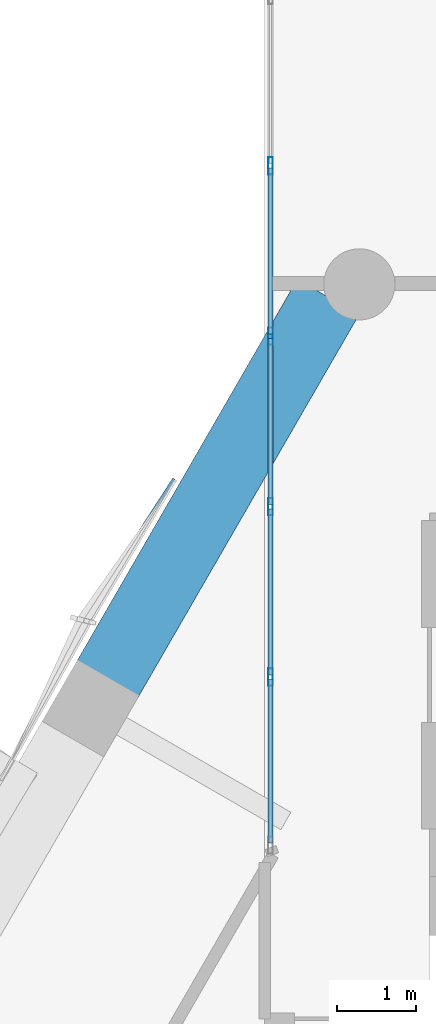
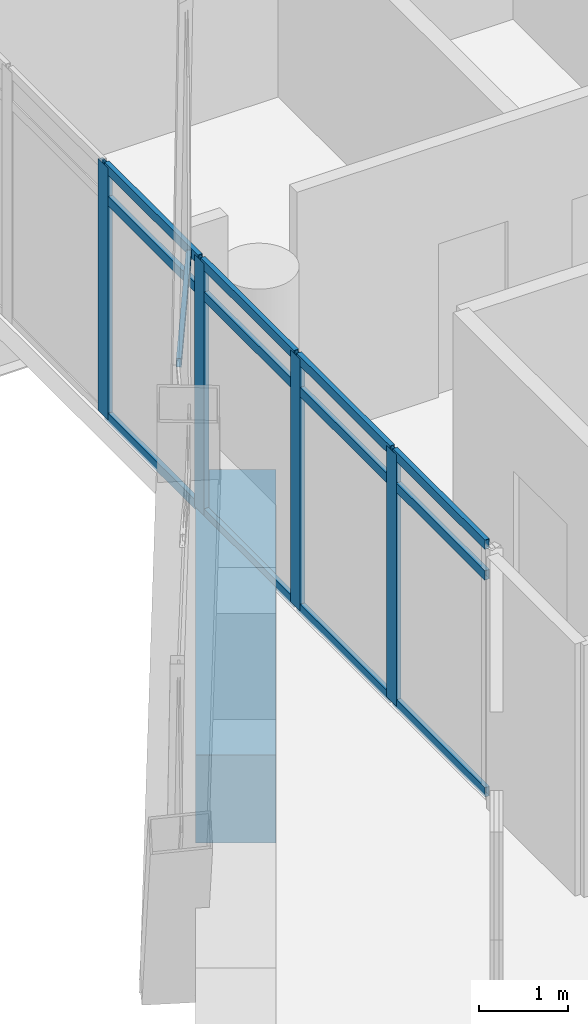
# One storey, part 17 of 37: 17 members, 1 beam, 2 elements without a shape of their own.
"""IFC4 building model written with IfcOpenShell, lengths in metres."""

from ifc_helpers import new_model, si_unit, direction, frame, origin, origin_2d, place, context, subcontext, project, spatial, rectangle, hollow_rectangle, extrude, material, material_profile, profile_set, type_object, element, aggregate, save


model = new_model("IFC4")

# Units and contexts
model_context = context("Model", 3, precision=1e-05, world=origin(), true_north=direction((0.0, 1.0)))
body_context = subcontext(model_context, "Body", "Model", "MODEL_VIEW")
ifc_project = project(units=[si_unit("LENGTHUNIT", "METRE"), si_unit("AREAUNIT", "SQUARE_METRE"), si_unit("VOLUMEUNIT", "CUBIC_METRE"), si_unit("PLANEANGLEUNIT", "RADIAN"), si_unit("MASSUNIT", "GRAM", prefix="KILO")], contexts=[model_context])

# Site, building, storey
site_placement = place(None, origin())
site = spatial("IfcSite", under=ifc_project, at=site_placement, CompositionType="ELEMENT")
building_placement = place(site_placement, origin())
building = spatial("IfcBuilding", under=site, at=building_placement, Name="Ostrander Bayou Hotel Tower", CompositionType="ELEMENT")
storey_placement = place(building_placement, frame((0.0, 0.0, 225.75)))
storey = spatial("IfcBuildingStorey", under=building, at=storey_placement, Name="L56", CompositionType="ELEMENT", Elevation=225.75)

# Curtain wall, members
ifc_material_1 = material(Name="Aluminium and clear glass", Category="aluminium")
curtain_wall_type_1 = type_object("IfcCurtainWallType", Name="CW-BAR glazed wall", PredefinedType="NOTDEFINED", material=ifc_material_1)
curtain_wall_1_placement = place(storey_placement, origin())
curtain_wall_1 = element("IfcCurtainWall", 1, at=curtain_wall_1_placement, inside=storey, type_object=curtain_wall_type_1, Name="CW-BAR L56:SB5N:E", PredefinedType="NOTDEFINED")
ifc_material_2 = material(Name="Aluminium", Category="aluminium")
ifc_material_profile_1 = material_profile(ifc_material_2, hollow_rectangle(XDim=0.06005859375, YDim=0.219970703125, WallThickness=0.00390625, at=origin_2d()))
ifc_profile_set_1 = profile_set([ifc_material_profile_1], Name="Aluminium")
member_type_1 = type_object("IfcMemberType", Name="CW-BR mullion 60 x 220 mm", PredefinedType="MULLION", material=ifc_profile_set_1)
member_1_placement = place(storey_placement, frame((-10.51220703125, 11.620849609375, 0.0), z_axis=(0.0, 0.0, 1.0), x_axis=(-1.0, 0.0, 0.0)))
member_1 = element("IfcMember", 2, at=member_1_placement, type_object=member_type_1, Name="CW-BAR mullion 2", PredefinedType="MULLION", context=body_context, shape_type="SweptSolid", body=[
    extrude(hollow_rectangle(XDim=0.06005859375, YDim=0.219970703125, WallThickness=0.00390625, at=origin_2d()), origin(), (0.0, 0.0, 1.0), 3.449951171875),
])
member_2_placement = place(storey_placement, frame((-10.51220703125, 13.7763671875, 0.0), z_axis=(0.0, 0.0, 1.0), x_axis=(-1.0, 0.0, 0.0)))
member_2 = element("IfcMember", 3, at=member_2_placement, type_object=member_type_1, Name="CW-BAR mullion 3", PredefinedType="MULLION", context=body_context, shape_type="SweptSolid", body=[
    extrude(hollow_rectangle(XDim=0.06005859375, YDim=0.219970703125, WallThickness=0.00390625, at=origin_2d()), origin(), (0.0, 0.0, 1.0), 3.449951171875),
])
member_3_placement = place(storey_placement, frame((-10.51220703125, 15.93212890625, 0.0), z_axis=(0.0, 0.0, 1.0), x_axis=(-1.0, 0.0, 0.0)))
member_3 = element("IfcMember", 4, at=member_3_placement, type_object=member_type_1, Name="CW-BAR mullion 4", PredefinedType="MULLION", context=body_context, shape_type="SweptSolid", body=[
    extrude(hollow_rectangle(XDim=0.06005859375, YDim=0.219970703125, WallThickness=0.00390625, at=origin_2d()), origin(), (0.0, 0.0, 1.0), 3.449951171875),
])
member_4_placement = place(storey_placement, frame((-10.51220703125, 18.087890625, 0.0), z_axis=(0.0, 0.0, 1.0), x_axis=(-1.0, 0.0, 0.0)))
member_4 = element("IfcMember", 5, at=member_4_placement, type_object=member_type_1, Name="CW-BAR mullion 5", PredefinedType="MULLION", context=body_context, shape_type="SweptSolid", body=[
    extrude(hollow_rectangle(XDim=0.06005859375, YDim=0.219970703125, WallThickness=0.00390625, at=origin_2d()), origin(), (0.0, 0.0, 1.0), 3.449951171875),
])
ifc_material_3 = material(Name="Aluminium", Category="aluminium")
ifc_material_profile_2 = material_profile(ifc_material_3, hollow_rectangle(XDim=0.06005859375, YDim=0.1298828125, WallThickness=0.00390625, at=origin_2d()))
ifc_profile_set_2 = profile_set([ifc_material_profile_2], Name="Aluminium")
member_type_2 = type_object("IfcMemberType", Name="CW-BR transom 60 x 130 mm", PredefinedType="USERDEFINED", material=ifc_profile_set_2)
member_5_placement = place(storey_placement, frame((-10.51220703125, 9.52490234375, 0.030029296875), z_axis=(0.0, 1.0, 0.0), x_axis=(-1.0, 0.0, 0.0)))
member_5 = element("IfcMember", 6, at=member_5_placement, type_object=member_type_2, Name="CW-BAR transom 1.1", ObjectType="TRANSOM", PredefinedType="USERDEFINED", context=body_context, shape_type="SweptSolid", body=[
    extrude(hollow_rectangle(XDim=0.06005859375, YDim=0.1298828125, WallThickness=0.00390625, at=origin_2d()), origin(), (0.0, 0.0, 1.0), 2.06591796875),
])
member_6_placement = place(storey_placement, frame((-10.51220703125, 9.52490234375, 3.0), z_axis=(0.0, 1.0, 0.0), x_axis=(-1.0, 0.0, 0.0)))
member_6 = element("IfcMember", 7, at=member_6_placement, type_object=member_type_2, Name="CW-BAR transom 1.2", ObjectType="TRANSOM", PredefinedType="USERDEFINED", context=body_context, shape_type="SweptSolid", body=[
    extrude(hollow_rectangle(XDim=0.06005859375, YDim=0.1298828125, WallThickness=0.00390625, at=origin_2d()), origin(), (0.0, 0.0, 1.0), 2.06591796875),
])
member_7_placement = place(storey_placement, frame((-10.51220703125, 9.52490234375, 3.419921875), z_axis=(0.0, 1.0, 0.0), x_axis=(-1.0, 0.0, 0.0)))
member_7 = element("IfcMember", 8, at=member_7_placement, type_object=member_type_2, Name="CW-BAR transom 1.3", ObjectType="TRANSOM", PredefinedType="USERDEFINED", context=body_context, shape_type="SweptSolid", body=[
    extrude(hollow_rectangle(XDim=0.06005859375, YDim=0.1298828125, WallThickness=0.00390625, at=origin_2d()), origin(), (0.0, 0.0, 1.0), 2.06591796875),
])
member_8_placement = place(storey_placement, frame((-10.51220703125, 11.650634765625, 0.030029296875), z_axis=(0.0, 1.0, 0.0), x_axis=(-1.0, 0.0, 0.0)))
member_8 = element("IfcMember", 9, at=member_8_placement, type_object=member_type_2, Name="CW-BAR transom 2.1", ObjectType="TRANSOM", PredefinedType="USERDEFINED", context=body_context, shape_type="SweptSolid", body=[
    extrude(hollow_rectangle(XDim=0.06005859375, YDim=0.1298828125, WallThickness=0.00390625, at=origin_2d()), origin(), (0.0, 0.0, 1.0), 2.095947265625),
])
member_9_placement = place(storey_placement, frame((-10.51220703125, 11.650634765625, 3.0), z_axis=(0.0, 1.0, 0.0), x_axis=(-1.0, 0.0, 0.0)))
member_9 = element("IfcMember", 10, at=member_9_placement, type_object=member_type_2, Name="CW-BAR transom 2.2", ObjectType="TRANSOM", PredefinedType="USERDEFINED", context=body_context, shape_type="SweptSolid", body=[
    extrude(hollow_rectangle(XDim=0.06005859375, YDim=0.1298828125, WallThickness=0.00390625, at=origin_2d()), origin(), (0.0, 0.0, 1.0), 2.095947265625),
])
member_10_placement = place(storey_placement, frame((-10.51220703125, 11.650634765625, 3.419921875), z_axis=(0.0, 1.0, 0.0), x_axis=(-1.0, 0.0, 0.0)))
member_10 = element("IfcMember", 11, at=member_10_placement, type_object=member_type_2, Name="CW-BAR transom 2.3", ObjectType="TRANSOM", PredefinedType="USERDEFINED", context=body_context, shape_type="SweptSolid", body=[
    extrude(hollow_rectangle(XDim=0.06005859375, YDim=0.1298828125, WallThickness=0.00390625, at=origin_2d()), origin(), (0.0, 0.0, 1.0), 2.095947265625),
])
member_11_placement = place(storey_placement, frame((-10.51220703125, 13.806396484375, 0.030029296875), z_axis=(0.0, 1.0, 0.0), x_axis=(-1.0, 0.0, 0.0)))
member_11 = element("IfcMember", 12, at=member_11_placement, type_object=member_type_2, Name="CW-BAR transom 3.1", ObjectType="TRANSOM", PredefinedType="USERDEFINED", context=body_context, shape_type="SweptSolid", body=[
    extrude(hollow_rectangle(XDim=0.06005859375, YDim=0.1298828125, WallThickness=0.00390625, at=origin_2d()), origin(), (0.0, 0.0, 1.0), 2.095703125),
])
member_12_placement = place(storey_placement, frame((-10.51220703125, 13.806396484375, 3.0), z_axis=(0.0, 1.0, 0.0), x_axis=(-1.0, 0.0, 0.0)))
member_12 = element("IfcMember", 13, at=member_12_placement, type_object=member_type_2, Name="CW-BAR transom 3.2", ObjectType="TRANSOM", PredefinedType="USERDEFINED", context=body_context, shape_type="SweptSolid", body=[
    extrude(hollow_rectangle(XDim=0.06005859375, YDim=0.1298828125, WallThickness=0.00390625, at=origin_2d()), origin(), (0.0, 0.0, 1.0), 2.095703125),
])
member_13_placement = place(storey_placement, frame((-10.51220703125, 13.806396484375, 3.419921875), z_axis=(0.0, 1.0, 0.0), x_axis=(-1.0, 0.0, 0.0)))
member_13 = element("IfcMember", 14, at=member_13_placement, type_object=member_type_2, Name="CW-BAR transom 3.3", ObjectType="TRANSOM", PredefinedType="USERDEFINED", context=body_context, shape_type="SweptSolid", body=[
    extrude(hollow_rectangle(XDim=0.06005859375, YDim=0.1298828125, WallThickness=0.00390625, at=origin_2d()), origin(), (0.0, 0.0, 1.0), 2.095703125),
])
member_14_placement = place(storey_placement, frame((-10.51220703125, 15.962158203125, 0.030029296875), z_axis=(0.0, 1.0, 0.0), x_axis=(-1.0, 0.0, 0.0)))
member_14 = element("IfcMember", 15, at=member_14_placement, type_object=member_type_2, Name="CW-BAR transom 4.1", ObjectType="TRANSOM", PredefinedType="USERDEFINED", context=body_context, shape_type="SweptSolid", body=[
    extrude(hollow_rectangle(XDim=0.06005859375, YDim=0.1298828125, WallThickness=0.00390625, at=origin_2d()), origin(), (0.0, 0.0, 1.0), 2.095703125),
])
member_15_placement = place(storey_placement, frame((-10.51220703125, 15.962158203125, 3.0), z_axis=(0.0, 1.0, 0.0), x_axis=(-1.0, 0.0, 0.0)))
member_15 = element("IfcMember", 16, at=member_15_placement, type_object=member_type_2, Name="CW-BAR transom 4.2", ObjectType="TRANSOM", PredefinedType="USERDEFINED", context=body_context, shape_type="SweptSolid", body=[
    extrude(hollow_rectangle(XDim=0.06005859375, YDim=0.1298828125, WallThickness=0.00390625, at=origin_2d()), origin(), (0.0, 0.0, 1.0), 2.095703125),
])
member_16_placement = place(storey_placement, frame((-10.51220703125, 15.962158203125, 3.419921875), z_axis=(0.0, 1.0, 0.0), x_axis=(-1.0, 0.0, 0.0)))
member_16 = element("IfcMember", 17, at=member_16_placement, type_object=member_type_2, Name="CW-BAR transom 4.3", ObjectType="TRANSOM", PredefinedType="USERDEFINED", context=body_context, shape_type="SweptSolid", body=[
    extrude(hollow_rectangle(XDim=0.06005859375, YDim=0.1298828125, WallThickness=0.00390625, at=origin_2d()), origin(), (0.0, 0.0, 1.0), 2.095703125),
])
aggregate(curtain_wall_1, [member_1, member_2, member_3, member_4, member_5, member_6, member_7, member_8, member_9, member_10, member_11, member_12, member_13, member_14, member_15, member_16])

# Curtain wall, member
ifc_material_4 = material(Name="Aluminium and clear glass", Category="aluminium")
curtain_wall_type_2 = type_object("IfcCurtainWallType", Name="CW-LAT lattice glazing", PredefinedType="NOTDEFINED", material=ifc_material_4)
curtain_wall_2_placement = place(storey_placement, origin())
curtain_wall_2 = element("IfcCurtainWall", 18, at=curtain_wall_2_placement, inside=storey, type_object=curtain_wall_type_2, Name="CW-LAT L56 NW 2", PredefinedType="NOTDEFINED")
ifc_material_5 = material(Name="Aluminium", Category="aluminium")
ifc_material_profile_3 = material_profile(ifc_material_5, hollow_rectangle(XDim=0.06005859375, YDim=0.1201171875, WallThickness=0.00390625, at=origin_2d()))
ifc_profile_set_3 = profile_set([ifc_material_profile_3], Name="Aluminium")
member_type_3 = type_object("IfcMemberType", Name="CW-LA transom 60 x 120 mm", PredefinedType="USERDEFINED", material=ifc_profile_set_3)
member_17_placement = place(storey_placement, frame((-12.8798828125, 12.34033203125, 5.02490234375), z_axis=(0.544350541291, 0.838857847431, 0.0), x_axis=(-0.838857847431, 0.544350541291, 0.0)))
member_17 = element("IfcMember", 19, at=member_17_placement, type_object=member_type_3, Name="CW-LAT transom 3", ObjectType="TRANSOM", PredefinedType="USERDEFINED", context=body_context, shape_type="SweptSolid", body=[
    extrude(hollow_rectangle(XDim=0.06005859375, YDim=0.1201171875, WallThickness=0.00390625, at=origin_2d()), origin(), (0.0, 0.0, 1.0), 2.126220703125),
])
aggregate(curtain_wall_2, [member_17])

# Beam
ifc_material_6 = material(Name="Concrete f'c 60 MPa", Category="concrete")
ifc_material_profile_4 = material_profile(ifc_material_6, rectangle(XDim=0.89990234375, YDim=1.199951171875, at=origin_2d()))
ifc_profile_set_4 = profile_set([ifc_material_profile_4], Name="Concrete f'c 60 MPa")
beam_type = type_object("IfcBeamType", Name="SP4 spandrel beam 900 x 1200 mm f'c 60 MPa", PredefinedType="SPANDREL", material=ifc_profile_set_4)
beam_placement = place(storey_placement, frame((-9.782958984375, 16.427978515625, -0.60009765625), z_axis=(-0.500007442593, -0.866021106759, 0.0), x_axis=(0.866021106759, -0.500007442593, 0.0)))
element("IfcBeam", 20, at=beam_placement, inside=storey, type_object=beam_type, Name="SP4 L56 NW-1", PredefinedType="SPANDREL", context=body_context, shape_type="SweptSolid", body=[
    extrude(rectangle(XDim=0.89990234375, YDim=1.199951171875, at=origin_2d()), origin(), (0.0, 0.0, 1.0), 5.58642578125),
])

save(model, "model.ifc")
